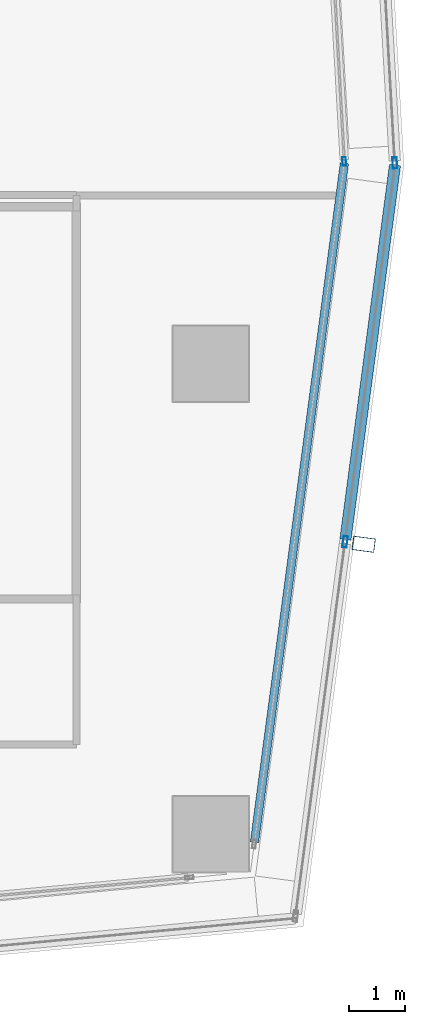
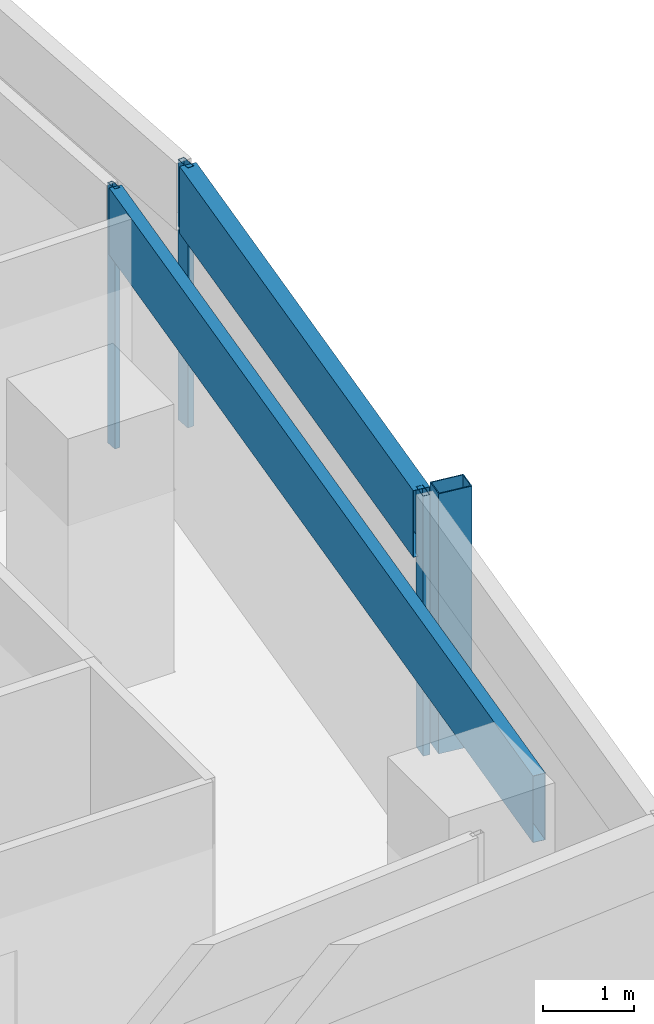
# One storey, part 12 of 39: 6 members, 4 elements without a shape of their own.
"""IFC4 building model written with IfcOpenShell, lengths in metres."""

from ifc_helpers import new_model, si_unit, direction, frame, origin, origin_2d, place, context, subcontext, project, spatial, hollow_rectangle, extrude, material, material_profile, profile_set, type_object, element, aggregate, save


model = new_model("IFC4")

# Units and contexts
model_context = context("Model", 3, precision=1e-05, world=origin(), true_north=direction((0.0, 1.0)))
body_context = subcontext(model_context, "Body", "Model", "MODEL_VIEW")
ifc_project = project(units=[si_unit("LENGTHUNIT", "METRE"), si_unit("AREAUNIT", "SQUARE_METRE"), si_unit("VOLUMEUNIT", "CUBIC_METRE"), si_unit("PLANEANGLEUNIT", "RADIAN"), si_unit("MASSUNIT", "GRAM", prefix="KILO")], contexts=[model_context])

# Site, building, storey
site_placement = place(None, origin())
site = spatial("IfcSite", under=ifc_project, at=site_placement, CompositionType="ELEMENT")
building_placement = place(site_placement, origin())
building = spatial("IfcBuilding", under=site, at=building_placement, Name="Rekha Terrace Tower", CompositionType="ELEMENT")
storey_placement = place(building_placement, frame((0.0, 0.0, 221.449951171875)))
storey = spatial("IfcBuildingStorey", under=building, at=storey_placement, Name="L56", CompositionType="ELEMENT", Elevation=221.449951171875)

# Curtain wall, member
ifc_material_1 = material(Name="Aluminium framing", Category="aluminium")
curtain_wall_type_1 = type_object("IfcCurtainWallType", Name="CW2 double skin outer glazing", PredefinedType="USERDEFINED", material=ifc_material_1)
curtain_wall_1_placement = place(storey_placement, origin())
curtain_wall_1 = element("IfcCurtainWall", 1, at=curtain_wall_1_placement, inside=storey, type_object=curtain_wall_type_1, Name="CW2 double skin outer glazing", ObjectType="DOUBLE SKIN OUTER GLAZING", PredefinedType="USERDEFINED")
ifc_material_2 = material(Name="Steel S355 with fluorocarbon finish", Category="steel")
ifc_material_profile_1 = material_profile(ifc_material_2, hollow_rectangle(XDim=0.25, YDim=0.39990234375, WallThickness=0.012451171875, at=origin_2d()), Name="RHS400x250x12.5")
ifc_profile_set_1 = profile_set([ifc_material_profile_1], Name="Steel S355 with fluorocarbon finish")
member_type_1 = type_object("IfcMemberType", Name="BL1 facade blade RHS 400 x 250", PredefinedType="USERDEFINED", material=ifc_profile_set_1)
member_1_placement = place(storey_placement, frame((61.531005859375, 21.977783203125, 0.0), z_axis=(0.0, 0.0, 1.0), x_axis=(0.131303100637, 0.991342269735, 0.0)))
member_1 = element("IfcMember", 2, at=member_1_placement, type_object=member_type_1, Name="Facade blade", ObjectType="FACADE BLADE", PredefinedType="USERDEFINED", context=body_context, shape_type="SweptSolid", body=[
    extrude(hollow_rectangle(XDim=0.25, YDim=0.39990234375, WallThickness=0.012451171875, at=origin_2d()), origin(), (0.0, 0.0, 1.0), 3.5),
])

curtain_wall_type_2 = type_object("IfcCurtainWallType", Name="CW1 double skin inner glazing", PredefinedType="USERDEFINED", material=ifc_material_1)
curtain_wall_2_placement = place(storey_placement, origin())
curtain_wall_2 = element("IfcCurtainWall", 3, at=curtain_wall_2_placement, inside=storey, type_object=curtain_wall_type_2, Name="CW1 double skin inner glazing", ObjectType="DOUBLE SKIN INNER GLAZING", PredefinedType="USERDEFINED")
ifc_material_3 = material(Name="Aluminium mullion section", Category="aluminium")
ifc_material_profile_2 = material_profile(ifc_material_3, hollow_rectangle(XDim=0.06494140625, YDim=0.14990234375, WallThickness=0.00390625, at=origin_2d()), Name="AL RHS 65x150")
ifc_profile_set_2 = profile_set([ifc_material_profile_2], Name="Aluminium mullion section")
member_type_2 = type_object("IfcMemberType", Name="CW1 mullion RHS 65 x 150", PredefinedType="MULLION", material=ifc_profile_set_2)
member_2_placement = place(storey_placement, frame((61.18408203125, 28.812255859375, 0.0), z_axis=(0.0, 0.0, 1.0), x_axis=(-0.998392782919, -0.05667319486, 0.0)))
member_2 = element("IfcMember", 4, at=member_2_placement, type_object=member_type_2, Name="CW1 mullion 1", PredefinedType="MULLION", context=body_context, shape_type="SweptSolid", body=[
    extrude(hollow_rectangle(XDim=0.06494140625, YDim=0.14990234375, WallThickness=0.00390625, at=origin_2d()), origin(), (0.0, 0.0, 1.0), 3.5),
])
aggregate(curtain_wall_2, [member_2])

curtain_wall_3_placement = place(storey_placement, origin())
curtain_wall_3 = element("IfcCurtainWall", 5, at=curtain_wall_3_placement, inside=storey, type_object=curtain_wall_type_2, Name="CW1 double skin inner glazing", ObjectType="DOUBLE SKIN INNER GLAZING", PredefinedType="USERDEFINED")
ifc_material_4 = material(Name="Insulated aluminium spandrel box", Category="aluminium")
ifc_material_profile_3 = material_profile(ifc_material_4, hollow_rectangle(XDim=0.14990234375, YDim=0.89990234375, WallThickness=0.0029296875, at=origin_2d()), Name="AL SPANDREL BOX 150x900")
ifc_profile_set_3 = profile_set([ifc_material_profile_3], Name="Insulated aluminium spandrel box")
member_type_3 = type_object("IfcMemberType", Name="CW1 spandrel transom 150 x 900", PredefinedType="USERDEFINED", material=ifc_profile_set_3)
member_3_placement = place(storey_placement, frame((59.580322265625, 16.656982421875, 3.050048828125), z_axis=(0.131307111352, 0.991341738508, 0.0), x_axis=(-0.991341738508, 0.131307111352, 0.0)))
member_3 = element("IfcMember", 6, at=member_3_placement, type_object=member_type_3, Name="CW1 spandrel transom 1", ObjectType="TRANSOM", PredefinedType="USERDEFINED", context=body_context, shape_type="SweptSolid", body=[
    extrude(hollow_rectangle(XDim=0.14990234375, YDim=0.89990234375, WallThickness=0.0029296875, at=origin_2d()), origin(), (0.0, 0.0, 1.0), 12.228759765625),
])
aggregate(curtain_wall_3, [member_3])

# Member
ifc_material_profile_4 = material_profile(ifc_material_3, hollow_rectangle(XDim=0.080078125, YDim=0.199951171875, WallThickness=0.00390625, at=origin_2d()), Name="AL RHS 80x200")
ifc_profile_set_4 = profile_set([ifc_material_profile_4], Name="Aluminium mullion section")
member_type_4 = type_object("IfcMemberType", Name="CW2 mullion RHS 80 x 200", PredefinedType="MULLION", material=ifc_profile_set_4)
member_4_placement = place(storey_placement, frame((61.19873046875, 22.021728515625, 0.0), z_axis=(0.0, 0.0, 1.0), x_axis=(-0.991342203187, 0.131303603075, 0.0)))
member_4 = element("IfcMember", 7, at=member_4_placement, type_object=member_type_4, Name="CW2 mullion 2", PredefinedType="MULLION", context=body_context, shape_type="SweptSolid", body=[
    extrude(hollow_rectangle(XDim=0.080078125, YDim=0.199951171875, WallThickness=0.00390625, at=origin_2d()), origin(), (0.0, 0.0, 1.0), 3.5),
])

# Curtain wall, member
curtain_wall_4_placement = place(storey_placement, origin())
curtain_wall_4 = element("IfcCurtainWall", 8, at=curtain_wall_4_placement, inside=storey, type_object=curtain_wall_type_1, Name="CW2 double skin outer glazing", ObjectType="DOUBLE SKIN OUTER GLAZING", PredefinedType="USERDEFINED")
member_5_placement = place(storey_placement, frame((62.087158203125, 28.785888671875, 0.0), z_axis=(0.0, 0.0, 1.0), x_axis=(-0.998392782919, -0.05667319486, 0.0)))
member_5 = element("IfcMember", 9, at=member_5_placement, type_object=member_type_4, Name="CW2 mullion 1", PredefinedType="MULLION", context=body_context, shape_type="SweptSolid", body=[
    extrude(hollow_rectangle(XDim=0.080078125, YDim=0.199951171875, WallThickness=0.00390625, at=origin_2d()), origin(), (0.0, 0.0, 1.0), 3.5),
])
aggregate(curtain_wall_4, [member_5])

# Member
ifc_material_profile_5 = material_profile(ifc_material_4, hollow_rectangle(XDim=0.199951171875, YDim=0.89990234375, WallThickness=0.0029296875, at=origin_2d()), Name="AL SPANDREL BOX 200x900")
ifc_profile_set_5 = profile_set([ifc_material_profile_5], Name="Insulated aluminium spandrel box")
member_type_5 = type_object("IfcMemberType", Name="CW2 spandrel transom 200 x 900", PredefinedType="USERDEFINED", material=ifc_profile_set_5)
member_6_placement = place(storey_placement, frame((61.2041015625, 22.0615234375, 3.050048828125), z_axis=(0.131286165193, 0.991344512684, 0.0), x_axis=(-0.991344512684, 0.131286165193, 0.0)))
member_6 = element("IfcMember", 10, at=member_6_placement, type_object=member_type_5, Name="CW2 spandrel transom 2", ObjectType="TRANSOM", PredefinedType="USERDEFINED", context=body_context, shape_type="SweptSolid", body=[
    extrude(hollow_rectangle(XDim=0.199951171875, YDim=0.89990234375, WallThickness=0.0029296875, at=origin_2d()), origin(), (0.0, 0.0, 1.0), 6.742919921875),
])

aggregate(curtain_wall_1, [member_4, member_6, member_1])

save(model, "model.ifc")
